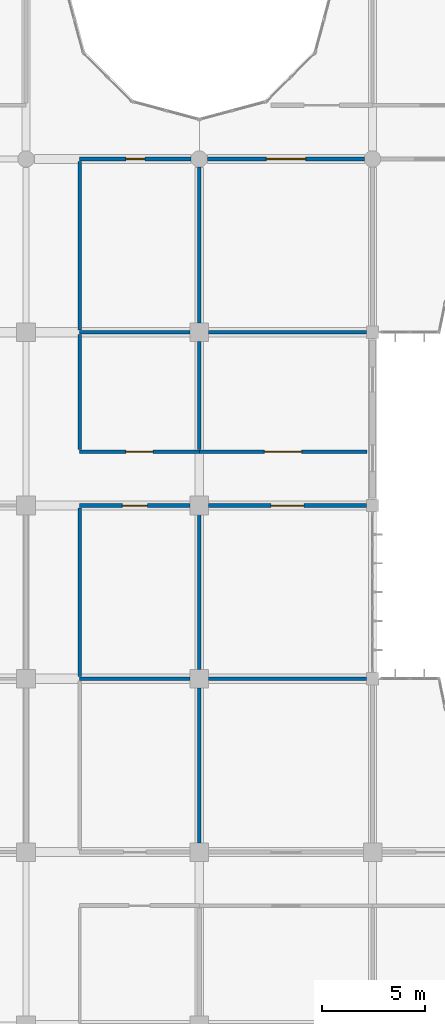
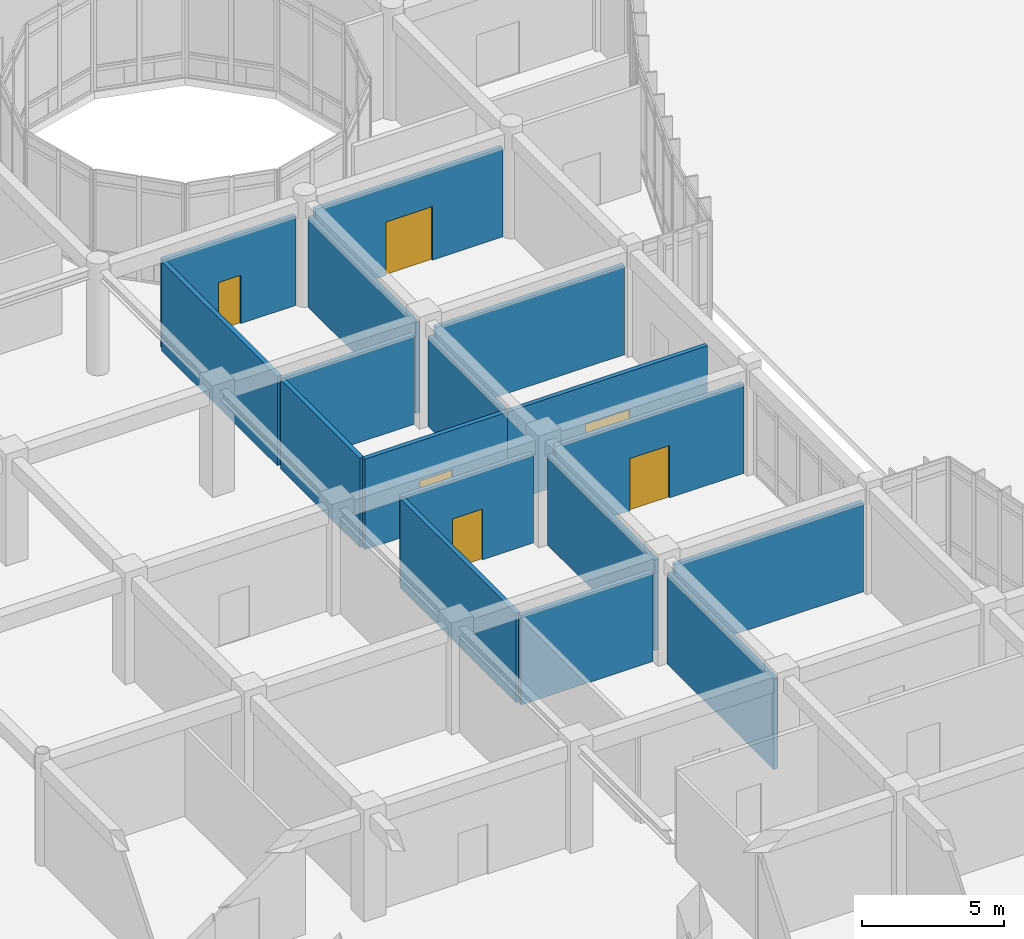
# One storey, part 96 of 138: 17 walls, 6 doors, 6 openings.
"""IFC4 building model written with IfcOpenShell, lengths in metres."""

from ifc_helpers import new_model, si_unit, direction, frame, frame_2d, origin, place, context, subcontext, project, spatial, rectangle, extrude, material, layer, layer_set, type_object, element, fill, save


model = new_model("IFC4")

# Units and contexts
model_context = context("Model", 3, precision=1e-05, world=origin(), true_north=direction((0.0, 1.0)))
body_context = subcontext(model_context, "Body", "Model", "MODEL_VIEW")
ifc_project = project(units=[si_unit("LENGTHUNIT", "METRE"), si_unit("AREAUNIT", "SQUARE_METRE"), si_unit("VOLUMEUNIT", "CUBIC_METRE"), si_unit("PLANEANGLEUNIT", "RADIAN"), si_unit("MASSUNIT", "GRAM", prefix="KILO")], contexts=[model_context])

# Site, building, storey
site_placement = place(None, origin())
site = spatial("IfcSite", under=ifc_project, at=site_placement, CompositionType="ELEMENT")
building_placement = place(site_placement, origin())
building = spatial("IfcBuilding", under=site, at=building_placement, Name="Bramfleet General Hospital", CompositionType="ELEMENT")
storey_placement = place(building_placement, origin())
storey = spatial("IfcBuildingStorey", under=building, at=storey_placement, Name="L00", CompositionType="ELEMENT", Elevation=0.0)

# Walls
ifc_material_1 = material(Name="Concrete C35/45", Category="concrete")
ifc_layer = layer(ifc_material_1, 0.179931640625, Name="WT-IW-04")
ifc_layer_set = layer_set([ifc_layer], Name="Concrete C35/45")
wall_type = type_object("IfcWallType", Name="WT-IW-04", PredefinedType="PARTITIONING", material=ifc_layer_set)
wall_1_placement = place(storey_placement, frame((111.800048828125, 33.60009765625, 0.0), z_axis=(0.0, 0.0, 1.0), x_axis=(1.0, 0.0, 0.0)))
element("IfcWall", 1, at=wall_1_placement, inside=storey, type_object=wall_type, Name="L00 Interior Partition IW-L00-0682", PredefinedType="PARTITIONING", context=body_context, shape_type="SweptSolid", body=[
    extrude(rectangle(XDim=5.35498046875, YDim=0.179931640625, at=frame_2d((2.677490234375, 0.0))), origin(), (0.0, 0.0, 1.0), 3.840087890625),
])
wall_2_placement = place(storey_placement, frame((118.044921875, 33.60009765625, 0.0), z_axis=(0.0, 0.0, 1.0), x_axis=(1.0, 0.0, 0.0)))
element("IfcWall", 2, at=wall_2_placement, inside=storey, type_object=wall_type, Name="L00 Interior Partition IW-L00-0683", PredefinedType="PARTITIONING", context=body_context, shape_type="SweptSolid", body=[
    extrude(rectangle(XDim=7.66015625, YDim=0.179931640625, at=frame_2d((3.830078125, 0.0))), origin(), (0.0, 0.0, 1.0), 3.840087890625),
])

# Wall, opening, door
wall_3_placement = place(storey_placement, frame((111.800048828125, 42.0, 0.0), z_axis=(0.0, 0.0, 1.0), x_axis=(1.0, 0.0, 0.0)))
wall_3 = element("IfcWall", 3, at=wall_3_placement, inside=storey, type_object=wall_type, Name="L00 Interior Partition IW-L00-0692", PredefinedType="PARTITIONING", context=body_context, shape_type="SweptSolid", body=[
    extrude(rectangle(XDim=5.35498046875, YDim=0.179931640625, at=frame_2d((2.677490234375, 0.0))), origin(), (0.0, 0.0, 1.0), 3.840087890625),
])
opening_1_placement = place(wall_3_placement, frame((2.0673828125, 0.0, 0.0)))
opening_1 = element("IfcOpeningElement", 4, at=opening_1_placement, cuts=wall_3, Name="Opening D0535", PredefinedType="OPENING", context=body_context, shape_type="SweptSolid", body=[
    extrude(rectangle(XDim=1.219970703125, YDim=2.179931640625, at=frame_2d((0.60986328125, 1.08984375))), frame((0.0, 0.099853515625, 0.0), z_axis=(0.0, -1.0, 0.0), x_axis=(1.0, 0.0, 0.0)), (0.0, 0.0, 1.0), 0.199951171875),
])
ifc_material_2 = material(Name="Stainless steel and acoustic timber leaf", Category="steel")
door_type_1 = type_object("IfcDoorType", Name="DR-D-23", OperationType="NOTDEFINED", PredefinedType="DOOR", material=ifc_material_2)
door_1_placement = place(opening_1_placement, origin())
door_1 = element("IfcDoor", 5, at=door_1_placement, inside=storey, type_object=door_type_1, Name="Diagnostic Ultrasound and Fluoroscopy 1304 Door D0535", OperationType="SINGLE_SWING_RIGHT", OverallHeight=2.179931640625, OverallWidth=1.219970703125, PredefinedType="DOOR", context=body_context, shape_type="SweptSolid", body=[
    extrude(rectangle(XDim=1.219970703125, YDim=2.179931640625, at=frame_2d((0.60986328125, 1.08984375))), frame((0.0, 0.02490234375, 0.0), z_axis=(0.0, -1.0, 0.0), x_axis=(1.0, 0.0, 0.0)), (0.0, 0.0, 1.0), 0.050048828125),
])
fill(opening_1, door_1)

wall_4_placement = place(storey_placement, frame((118.044921875, 42.0, 0.0), z_axis=(0.0, 0.0, 1.0), x_axis=(1.0, 0.0, 0.0)))
wall_4 = element("IfcWall", 6, at=wall_4_placement, inside=storey, type_object=wall_type, Name="L00 Interior Partition IW-L00-0693", PredefinedType="PARTITIONING", context=body_context, shape_type="SweptSolid", body=[
    extrude(rectangle(XDim=7.66015625, YDim=0.179931640625, at=frame_2d((3.830078125, 0.0))), origin(), (0.0, 0.0, 1.0), 3.840087890625),
])
opening_2_placement = place(wall_4_placement, frame((3.030029296875, 0.0, 0.0)))
opening_2 = element("IfcOpeningElement", 7, at=opening_2_placement, cuts=wall_4, Name="Opening D0548", PredefinedType="OPENING", context=body_context, shape_type="SweptSolid", body=[
    extrude(rectangle(XDim=1.60009765625, YDim=2.25, at=frame_2d((0.800048828125, 1.125))), frame((0.0, 0.099853515625, 0.0), z_axis=(0.0, -1.0, 0.0), x_axis=(1.0, 0.0, 0.0)), (0.0, 0.0, 1.0), 0.199951171875),
])
door_type_2 = type_object("IfcDoorType", Name="DR-D-04", OperationType="NOTDEFINED", PredefinedType="DOOR", material=ifc_material_2)
door_2_placement = place(opening_2_placement, origin())
door_2 = element("IfcDoor", 8, at=door_2_placement, inside=storey, type_object=door_type_2, Name="Diagnostic Ultrasound and Fluoroscopy 1404 Door D0548", OperationType="DOUBLE_SWING_LEFT", OverallHeight=2.25, OverallWidth=1.60009765625, PredefinedType="DOOR", context=body_context, shape_type="SweptSolid", body=[
    extrude(rectangle(XDim=1.60009765625, YDim=2.25, at=frame_2d((0.800048828125, 1.125))), frame((0.0, 0.02490234375, 0.0), z_axis=(0.0, -1.0, 0.0), x_axis=(1.0, 0.0, 0.0)), (0.0, 0.0, 1.0), 0.050048828125),
])
fill(opening_2, door_2)

wall_5_placement = place(storey_placement, frame((111.800048828125, 44.60009765625, 0.0), z_axis=(0.0, 0.0, 1.0), x_axis=(1.0, 0.0, 0.0)))
wall_5 = element("IfcWall", 9, at=wall_5_placement, inside=storey, type_object=wall_type, Name="L00 Interior Partition IW-L00-0700", PredefinedType="PARTITIONING", context=body_context, shape_type="SweptSolid", body=[
    extrude(rectangle(XDim=5.800048828125, YDim=0.179931640625, at=frame_2d((2.89990234375, 0.0))), origin(), (0.0, 0.0, 1.0), 3.889892578125),
])
opening_3_placement = place(wall_5_placement, frame((2.239990234375, 0.0, 0.0)))
opening_3 = element("IfcOpeningElement", 10, at=opening_3_placement, cuts=wall_5, Name="Opening D0536", PredefinedType="OPENING", context=body_context, shape_type="SweptSolid", body=[
    extrude(rectangle(XDim=1.320068359375, YDim=2.179931640625, at=frame_2d((0.66015625, 1.08984375))), frame((0.0, 0.099853515625, 0.0), z_axis=(0.0, -1.0, 0.0), x_axis=(1.0, 0.0, 0.0)), (0.0, 0.0, 1.0), 0.199951171875),
])
door_type_3 = type_object("IfcDoorType", Name="DR-D-24", OperationType="NOTDEFINED", PredefinedType="DOOR", material=ifc_material_2)
door_3_placement = place(opening_3_placement, origin())
door_3 = element("IfcDoor", 11, at=door_3_placement, inside=storey, type_object=door_type_3, Name="Diagnostic Ultrasound and Fluoroscopy 1305 Door D0536", OperationType="SINGLE_SWING_LEFT", OverallHeight=2.179931640625, OverallWidth=1.320068359375, PredefinedType="DOOR", context=body_context, shape_type="SweptSolid", body=[
    extrude(rectangle(XDim=1.320068359375, YDim=2.179931640625, at=frame_2d((0.66015625, 1.08984375))), frame((0.0, 0.02490234375, 0.0), z_axis=(0.0, -1.0, 0.0), x_axis=(1.0, 0.0, 0.0)), (0.0, 0.0, 1.0), 0.050048828125),
])
fill(opening_3, door_3)

wall_6_placement = place(storey_placement, frame((117.60009765625, 44.60009765625, 0.0), z_axis=(0.0, 0.0, 1.0), x_axis=(1.0, 0.0, 0.0)))
wall_6 = element("IfcWall", 12, at=wall_6_placement, inside=storey, type_object=wall_type, Name="L00 Interior Partition IW-L00-0701", PredefinedType="PARTITIONING", context=body_context, shape_type="SweptSolid", body=[
    extrude(rectangle(XDim=8.119873046875, YDim=0.179931640625, at=frame_2d((4.06005859375, 0.0))), origin(), (0.0, 0.0, 1.0), 3.889892578125),
])
opening_4_placement = place(wall_6_placement, frame((3.159912109375, 0.0, 0.0)))
opening_4 = element("IfcOpeningElement", 13, at=opening_4_placement, cuts=wall_6, Name="Opening D0549", PredefinedType="OPENING", context=body_context, shape_type="SweptSolid", body=[
    extrude(rectangle(XDim=1.800048828125, YDim=2.25, at=frame_2d((0.89990234375, 1.125))), frame((0.0, 0.099853515625, 0.0), z_axis=(0.0, -1.0, 0.0), x_axis=(1.0, 0.0, 0.0)), (0.0, 0.0, 1.0), 0.199951171875),
])
door_type_4 = type_object("IfcDoorType", Name="DR-D-05", OperationType="NOTDEFINED", PredefinedType="DOOR", material=ifc_material_2)
door_4_placement = place(opening_4_placement, origin())
door_4 = element("IfcDoor", 14, at=door_4_placement, inside=storey, type_object=door_type_4, Name="Diagnostic Ultrasound and Fluoroscopy 1405 Door D0549", OperationType="DOUBLE_SWING_RIGHT", OverallHeight=2.25, OverallWidth=1.800048828125, PredefinedType="DOOR", context=body_context, shape_type="SweptSolid", body=[
    extrude(rectangle(XDim=1.800048828125, YDim=2.25, at=frame_2d((0.89990234375, 1.125))), frame((0.0, 0.02490234375, 0.0), z_axis=(0.0, -1.0, 0.0), x_axis=(1.0, 0.0, 0.0)), (0.0, 0.0, 1.0), 0.050048828125),
])
fill(opening_4, door_4)

# Walls
wall_7_placement = place(storey_placement, frame((111.800048828125, 50.39990234375, 0.0), z_axis=(0.0, 0.0, 1.0), x_axis=(1.0, 0.0, 0.0)))
element("IfcWall", 15, at=wall_7_placement, inside=storey, type_object=wall_type, Name="L00 Interior Partition IW-L00-0708", PredefinedType="PARTITIONING", context=body_context, shape_type="SweptSolid", body=[
    extrude(rectangle(XDim=5.35498046875, YDim=0.179931640625, at=frame_2d((2.677490234375, 0.0))), origin(), (0.0, 0.0, 1.0), 3.840087890625),
])
wall_8_placement = place(storey_placement, frame((118.044921875, 50.39990234375, 0.0), z_axis=(0.0, 0.0, 1.0), x_axis=(1.0, 0.0, 0.0)))
element("IfcWall", 16, at=wall_8_placement, inside=storey, type_object=wall_type, Name="L00 Interior Partition IW-L00-0709", PredefinedType="PARTITIONING", context=body_context, shape_type="SweptSolid", body=[
    extrude(rectangle(XDim=7.66015625, YDim=0.179931640625, at=frame_2d((3.830078125, 0.0))), origin(), (0.0, 0.0, 1.0), 3.840087890625),
])

# Wall, opening, door
wall_9_placement = place(storey_placement, frame((111.800048828125, 58.800048828125, 0.0), z_axis=(0.0, 0.0, 1.0), x_axis=(1.0, 0.0, 0.0)))
wall_9 = element("IfcWall", 17, at=wall_9_placement, inside=storey, type_object=wall_type, Name="L00 Interior Partition IW-L00-0717", PredefinedType="PARTITIONING", context=body_context, shape_type="SweptSolid", body=[
    extrude(rectangle(XDim=5.405029296875, YDim=0.179931640625, at=frame_2d((2.70263671875, 0.0))), origin(), (0.0, 0.0, 1.0), 3.840087890625),
])
opening_5_placement = place(wall_9_placement, frame((2.242431640625, 0.0, 0.0)))
opening_5 = element("IfcOpeningElement", 18, at=opening_5_placement, cuts=wall_9, Name="Opening D0537", PredefinedType="OPENING", context=body_context, shape_type="SweptSolid", body=[
    extrude(rectangle(XDim=0.919921875, YDim=2.080078125, at=frame_2d((0.4599609375, 1.0400390625))), frame((0.0, 0.099853515625, 0.0), z_axis=(0.0, -1.0, 0.0), x_axis=(1.0, 0.0, 0.0)), (0.0, 0.0, 1.0), 0.199951171875),
])
door_type_5 = type_object("IfcDoorType", Name="DR-D-25", OperationType="NOTDEFINED", PredefinedType="DOOR", material=ifc_material_2)
door_5_placement = place(opening_5_placement, origin())
door_5 = element("IfcDoor", 19, at=door_5_placement, inside=storey, type_object=door_type_5, Name="Diagnostic Ultrasound and Fluoroscopy 1306 Door D0537", OperationType="SINGLE_SWING_RIGHT", OverallHeight=2.080078125, OverallWidth=0.919921875, PredefinedType="DOOR", context=body_context, shape_type="SweptSolid", body=[
    extrude(rectangle(XDim=0.919921875, YDim=2.080078125, at=frame_2d((0.4599609375, 1.0400390625))), frame((0.0, 0.02490234375, 0.0), z_axis=(0.0, -1.0, 0.0), x_axis=(1.0, 0.0, 0.0)), (0.0, 0.0, 1.0), 0.050048828125),
])
fill(opening_5, door_5)

wall_10_placement = place(storey_placement, frame((117.9951171875, 58.800048828125, 0.0), z_axis=(0.0, 0.0, 1.0), x_axis=(1.0, 0.0, 0.0)))
wall_10 = element("IfcWall", 20, at=wall_10_placement, inside=storey, type_object=wall_type, Name="L00 Interior Partition IW-L00-0718", PredefinedType="PARTITIONING", context=body_context, shape_type="SweptSolid", body=[
    extrude(rectangle(XDim=7.60986328125, YDim=0.179931640625, at=frame_2d((3.804931640625, 0.0))), origin(), (0.0, 0.0, 1.0), 3.840087890625),
])
opening_6_placement = place(wall_10_placement, frame((2.85498046875, 0.0, 0.0)))
opening_6 = element("IfcOpeningElement", 21, at=opening_6_placement, cuts=wall_10, Name="Opening D0550", PredefinedType="OPENING", context=body_context, shape_type="SweptSolid", body=[
    extrude(rectangle(XDim=1.89990234375, YDim=2.300048828125, at=frame_2d((0.949951171875, 1.14990234375))), frame((0.0, 0.099853515625, 0.0), z_axis=(0.0, -1.0, 0.0), x_axis=(1.0, 0.0, 0.0)), (0.0, 0.0, 1.0), 0.199951171875),
])
door_type_6 = type_object("IfcDoorType", Name="DR-D-06", OperationType="NOTDEFINED", PredefinedType="DOOR", material=ifc_material_2)
door_6_placement = place(opening_6_placement, origin())
door_6 = element("IfcDoor", 22, at=door_6_placement, inside=storey, type_object=door_type_6, Name="Diagnostic Ultrasound and Fluoroscopy 1406 Door D0550", OperationType="DOUBLE_SWING_LEFT", OverallHeight=2.300048828125, OverallWidth=1.89990234375, PredefinedType="DOOR", context=body_context, shape_type="SweptSolid", body=[
    extrude(rectangle(XDim=1.89990234375, YDim=2.300048828125, at=frame_2d((0.949951171875, 1.14990234375))), frame((0.0, 0.02490234375, 0.0), z_axis=(0.0, -1.0, 0.0), x_axis=(1.0, 0.0, 0.0)), (0.0, 0.0, 1.0), 0.050048828125),
])
fill(opening_6, door_6)

# Walls
wall_11_placement = place(storey_placement, frame((111.800048828125, 33.715087890625, 0.0), z_axis=(0.0, 0.0, 1.0), x_axis=(0.0, 1.0, 0.0)))
element("IfcWall", 23, at=wall_11_placement, inside=storey, type_object=wall_type, Name="L00 Interior Partition IW-L00-1103", PredefinedType="PARTITIONING", context=body_context, shape_type="SweptSolid", body=[
    extrude(rectangle(XDim=8.169921875, YDim=0.179931640625, at=frame_2d((4.0849609375, 0.0))), origin(), (0.0, 0.0, 1.0), 3.840087890625),
])
wall_12_placement = place(storey_placement, frame((111.800048828125, 44.715087890625, 0.0), z_axis=(0.0, 0.0, 1.0), x_axis=(0.0, 1.0, 0.0)))
element("IfcWall", 24, at=wall_12_placement, inside=storey, type_object=wall_type, Name="L00 Interior Partition IW-L00-1104", PredefinedType="PARTITIONING", context=body_context, shape_type="SweptSolid", body=[
    extrude(rectangle(XDim=5.56982421875, YDim=0.179931640625, at=frame_2d((2.784912109375, 0.0))), origin(), (0.0, 0.0, 1.0), 3.840087890625),
])
wall_13_placement = place(storey_placement, frame((111.800048828125, 50.514892578125, 0.0), z_axis=(0.0, 0.0, 1.0), x_axis=(0.0, 1.0, 0.0)))
element("IfcWall", 25, at=wall_13_placement, inside=storey, type_object=wall_type, Name="L00 Interior Partition IW-L00-1105", PredefinedType="PARTITIONING", context=body_context, shape_type="SweptSolid", body=[
    extrude(rectangle(XDim=8.170166015625, YDim=0.179931640625, at=frame_2d((4.0849609375, 0.0))), origin(), (0.0, 0.0, 1.0), 3.840087890625),
])
for number, where, z_axis, x_axis, name in (
    (26, (117.60009765625, 25.64501953125, 0.0), (0.0, 0.0, 1.0), (0.0, 1.0, 0.0), "L00 Interior Partition IW-L00-1118"),
    (27, (117.60009765625, 34.044921875, 0.0), (0.0, 0.0, 1.0), (0.0, 1.0, 0.0), "L00 Interior Partition IW-L00-1119"),
):
    element("IfcWall", number, at=place(storey_placement, frame(where, z_axis=z_axis, x_axis=x_axis)), inside=storey, type_object=wall_type, Name=name, PredefinedType="PARTITIONING", context=body_context, shape_type="SweptSolid", body=[
        extrude(rectangle(XDim=7.510009765625, YDim=0.179931640625, at=frame_2d((3.7548828125, 0.0))), origin(), (0.0, 0.0, 1.0), 3.889892578125),
    ])
wall_14_placement = place(storey_placement, frame((117.60009765625, 44.715087890625, 0.0), z_axis=(0.0, 0.0, 1.0), x_axis=(0.0, 1.0, 0.0)))
element("IfcWall", 28, at=wall_14_placement, inside=storey, type_object=wall_type, Name="L00 Interior Partition IW-L00-1120", PredefinedType="PARTITIONING", context=body_context, shape_type="SweptSolid", body=[
    extrude(rectangle(XDim=5.239990234375, YDim=0.179931640625, at=frame_2d((2.6201171875, 0.0))), origin(), (0.0, 0.0, 1.0), 3.889892578125),
])
wall_15_placement = place(storey_placement, frame((117.60009765625, 50.844970703125, 0.0), z_axis=(0.0, 0.0, 1.0), x_axis=(0.0, 1.0, 0.0)))
element("IfcWall", 29, at=wall_15_placement, inside=storey, type_object=wall_type, Name="L00 Interior Partition IW-L00-1121", PredefinedType="PARTITIONING", context=body_context, shape_type="SweptSolid", body=[
    extrude(rectangle(XDim=7.56005859375, YDim=0.179931640625, at=frame_2d((3.780029296875, 0.0))), origin(), (0.0, 0.0, 1.0), 3.889892578125),
])

save(model, "model.ifc")
